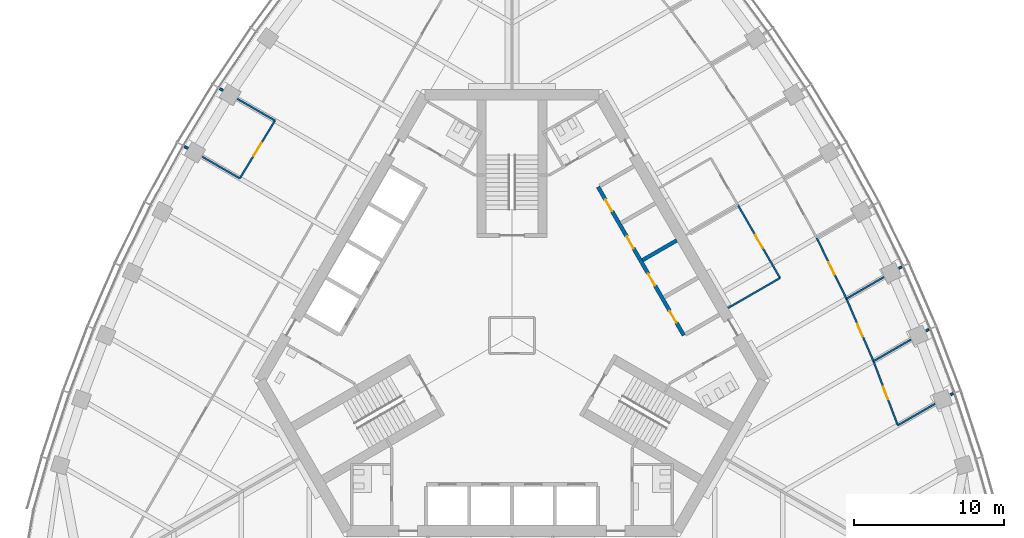
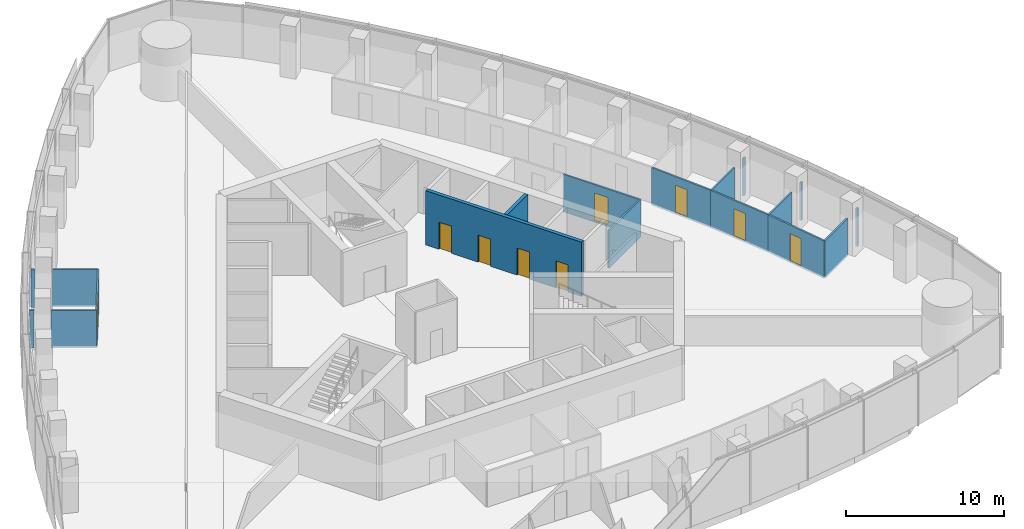
# One storey, part 13 of 20: 18 walls, 9 doors, 9 openings.
"""IFC4 building model written with IfcOpenShell, lengths in metres."""

from ifc_helpers import new_model, si_unit, direction, frame, frame_2d, origin, place, context, subcontext, project, spatial, rectangle, extrude, material, layer, layer_set, type_object, element, fill, save


model = new_model("IFC4")

# Units and contexts
model_context = context("Model", 3, precision=1e-05, world=origin(), true_north=direction((0.0, 1.0)))
body_context = subcontext(model_context, "Body", "Model", "MODEL_VIEW")
ifc_project = project(units=[si_unit("LENGTHUNIT", "METRE"), si_unit("AREAUNIT", "SQUARE_METRE"), si_unit("VOLUMEUNIT", "CUBIC_METRE"), si_unit("PLANEANGLEUNIT", "RADIAN"), si_unit("MASSUNIT", "GRAM", prefix="KILO")], contexts=[model_context])

# Site, building, storey
site_placement = place(None, origin())
site = spatial("IfcSite", under=ifc_project, at=site_placement, CompositionType="ELEMENT")
building_placement = place(site_placement, origin())
building = spatial("IfcBuilding", under=site, at=building_placement, Name="Trefoil Bronze Tower", CompositionType="ELEMENT")
storey_placement = place(building_placement, frame((0.0, 0.0, 231.699951171875)))
storey = spatial("IfcBuildingStorey", under=building, at=storey_placement, Name="L53", CompositionType="ELEMENT", Elevation=231.699951171875)

# Wall, opening, door
ifc_material_1 = material(Name="Glazed partition", Category="glass")
ifc_layer_1 = layer(ifc_material_1, 0.1201171875)
ifc_layer_set_1 = layer_set([ifc_layer_1], Name="Glazed partition 120")
wall_type_1 = type_object("IfcWallType", Name="Glazed partition 120", PredefinedType="PARTITIONING", material=ifc_layer_set_1)
wall_1_placement = place(storey_placement, frame((17.825439453125, 3.8251953125, 0.0), z_axis=(0.0, 0.0, 1.0), x_axis=(-0.499965239061, 0.866045472092, 0.0)))
wall_1 = element("IfcWall", 1, at=wall_1_placement, inside=storey, type_object=wall_type_1, Name="Partition F2 L53", PredefinedType="PARTITIONING", context=body_context, shape_type="SweptSolid", body=[
    extrude(rectangle(XDim=5.60009765625, YDim=0.1201171875, at=frame_2d((2.800048828125, 0.0))), origin(), (0.0, 0.0, 1.0), 2.900146484375),
])
opening_1_placement = place(wall_1_placement, frame((2.300048828125, 0.0, 0.14990234375)))
opening_1 = element("IfcOpeningElement", 2, at=opening_1_placement, cuts=wall_1, Name="Opening D9", PredefinedType="OPENING", context=body_context, shape_type="SweptSolid", body=[
    extrude(rectangle(XDim=1.0, YDim=2.10009765625, at=frame_2d((0.5, 1.050048828125))), frame((0.0, 0.070068359375, 0.0), z_axis=(0.0, -1.0, 0.0), x_axis=(1.0, 0.0, 0.0)), (0.0, 0.0, 1.0), 0.14013671875),
])
ifc_material_2 = material(Name="Glazed timber door", Category="wood")
door_type_1 = type_object("IfcDoorType", Name="Meeting room door 1000", OperationType="SINGLE_SWING_LEFT", PredefinedType="DOOR", material=ifc_material_2)
door_1_placement = place(opening_1_placement, origin())
door_1 = element("IfcDoor", 3, at=door_1_placement, inside=storey, type_object=door_type_1, Name="Meeting room door F2 L53", OperationType="SINGLE_SWING_RIGHT", OverallHeight=2.10009765625, OverallWidth=1.0, PredefinedType="DOOR", context=body_context, shape_type="SweptSolid", body=[
    extrude(rectangle(XDim=1.0, YDim=2.10009765625, at=frame_2d((0.5, 1.050048828125))), frame((0.0, 0.02490234375, 0.0), z_axis=(0.0, -1.0, 0.0), x_axis=(1.0, 0.0, 0.0)), (0.0, 0.0, 1.0), 0.050048828125),
])
fill(opening_1, door_1)

# Wall
wall_2_placement = place(storey_placement, frame((14.361328125, 1.8251953125, 0.0), z_axis=(0.0, 0.0, 1.0), x_axis=(0.866026010844, 0.49999894854, 0.0)))
element("IfcWall", 4, at=wall_2_placement, inside=storey, type_object=wall_type_1, Name="Partition F2 L53", PredefinedType="PARTITIONING", context=body_context, shape_type="SweptSolid", body=[
    extrude(rectangle(XDim=4.0, YDim=0.1201171875, at=frame_2d((2.0, 0.0))), origin(), (0.0, 0.0, 1.0), 2.900146484375),
])

# Wall, opening, door
wall_3_placement = place(storey_placement, frame((24.041015625, -1.708251953125, 0.0), z_axis=(0.0, 0.0, 1.0), x_axis=(-0.397208101111, 0.917728567939, 0.0)))
wall_3 = element("IfcWall", 5, at=wall_3_placement, inside=storey, type_object=wall_type_1, Name="Partition F2 L53", PredefinedType="PARTITIONING", context=body_context, shape_type="SweptSolid", body=[
    extrude(rectangle(XDim=4.530029296875, YDim=0.1201171875, at=frame_2d((2.26513671875, 0.0))), origin(), (0.0, 0.0, 1.0), 2.900146484375),
])
opening_2_placement = place(wall_3_placement, frame((1.800048828125, 0.0, 0.14990234375)))
opening_2 = element("IfcOpeningElement", 6, at=opening_2_placement, cuts=wall_3, Name="Opening D8", PredefinedType="OPENING", context=body_context, shape_type="SweptSolid", body=[
    extrude(rectangle(XDim=0.89990234375, YDim=2.10009765625, at=frame_2d((0.449951171875, 1.050048828125))), frame((0.0, 0.070068359375, 0.0), z_axis=(0.0, -1.0, 0.0), x_axis=(1.0, 0.0, 0.0)), (0.0, 0.0, 1.0), 0.14013671875),
])
ifc_material_3 = material(Name="Timber door", Category="wood")
door_type_2 = type_object("IfcDoorType", Name="Office door 900", OperationType="SINGLE_SWING_LEFT", PredefinedType="DOOR", material=ifc_material_3)
door_2_placement = place(opening_2_placement, frame((0.89990234375, 0.0, 0.0), z_axis=(0.0, 0.0, 1.0), x_axis=(-1.0, 0.0, 0.0)))
door_2 = element("IfcDoor", 7, at=door_2_placement, inside=storey, type_object=door_type_2, Name="Office door F2 L53", OperationType="SINGLE_SWING_RIGHT", OverallHeight=2.10009765625, OverallWidth=0.89990234375, PredefinedType="DOOR", context=body_context, shape_type="SweptSolid", body=[
    extrude(rectangle(XDim=0.89990234375, YDim=2.10009765625, at=frame_2d((0.449951171875, 1.050048828125))), frame((0.0, 0.02490234375, 0.0), z_axis=(0.0, -1.0, 0.0), x_axis=(1.0, 0.0, 0.0)), (0.0, 0.0, 1.0), 0.050048828125),
])
fill(opening_2, door_2)

wall_4_placement = place(storey_placement, frame((25.65625, -5.971923828125, 0.0), z_axis=(0.0, 0.0, 1.0), x_axis=(-0.3542667952, 0.935144394101, 0.0)))
wall_4 = element("IfcWall", 8, at=wall_4_placement, inside=storey, type_object=wall_type_1, Name="Partition F2 L53", PredefinedType="PARTITIONING", context=body_context, shape_type="SweptSolid", body=[
    extrude(rectangle(XDim=4.559326171875, YDim=0.1201171875, at=frame_2d((2.27978515625, 0.0))), origin(), (0.0, 0.0, 1.0), 2.900146484375),
])
opening_3_placement = place(wall_4_placement, frame((1.85009765625, 0.0, 0.14990234375)))
opening_3 = element("IfcOpeningElement", 9, at=opening_3_placement, cuts=wall_4, Name="Opening D8", PredefinedType="OPENING", context=body_context, shape_type="SweptSolid", body=[
    extrude(rectangle(XDim=0.89990234375, YDim=2.10009765625, at=frame_2d((0.449951171875, 1.050048828125))), frame((0.0, 0.070068359375, 0.0), z_axis=(0.0, -1.0, 0.0), x_axis=(1.0, 0.0, 0.0)), (0.0, 0.0, 1.0), 0.14013671875),
])
door_3_placement = place(opening_3_placement, frame((0.89990234375, 0.0, 0.0), z_axis=(0.0, 0.0, 1.0), x_axis=(-1.0, 0.0, 0.0)))
door_3 = element("IfcDoor", 10, at=door_3_placement, inside=storey, type_object=door_type_2, Name="Office door F2 L53", OperationType="SINGLE_SWING_LEFT", OverallHeight=2.10009765625, OverallWidth=0.89990234375, PredefinedType="DOOR", context=body_context, shape_type="SweptSolid", body=[
    extrude(rectangle(XDim=0.89990234375, YDim=2.10009765625, at=frame_2d((0.449951171875, 1.050048828125))), frame((0.0, 0.02490234375, 0.0), z_axis=(0.0, -1.0, 0.0), x_axis=(1.0, 0.0, 0.0)), (0.0, 0.0, 1.0), 0.050048828125),
])
fill(opening_3, door_3)

wall_5_placement = place(storey_placement, frame((22.24169921875, 2.448974609375, 0.0), z_axis=(0.0, 0.0, 1.0), x_axis=(-0.43911984878, 0.898428493764, 0.0)))
wall_5 = element("IfcWall", 11, at=wall_5_placement, inside=storey, type_object=wall_type_1, Name="Partition F2 L53", PredefinedType="PARTITIONING", context=body_context, shape_type="SweptSolid", body=[
    extrude(rectangle(XDim=4.5107421875, YDim=0.1201171875, at=frame_2d((2.25537109375, 0.0))), origin(), (0.0, 0.0, 1.0), 2.900146484375),
])
opening_4_placement = place(wall_5_placement, frame((1.800048828125, 0.0, 0.14990234375)))
opening_4 = element("IfcOpeningElement", 12, at=opening_4_placement, cuts=wall_5, Name="Opening D8", PredefinedType="OPENING", context=body_context, shape_type="SweptSolid", body=[
    extrude(rectangle(XDim=0.89990234375, YDim=2.10009765625, at=frame_2d((0.449951171875, 1.050048828125))), frame((0.0, 0.070068359375, 0.0), z_axis=(0.0, -1.0, 0.0), x_axis=(1.0, 0.0, 0.0)), (0.0, 0.0, 1.0), 0.14013671875),
])
door_4_placement = place(opening_4_placement, frame((0.89990234375, 0.0, 0.0), z_axis=(0.0, 0.0, 1.0), x_axis=(-1.0, 0.0, 0.0)))
door_4 = element("IfcDoor", 13, at=door_4_placement, inside=storey, type_object=door_type_2, Name="Office door F2 L53", OperationType="SINGLE_SWING_RIGHT", OverallHeight=2.10009765625, OverallWidth=0.89990234375, PredefinedType="DOOR", context=body_context, shape_type="SweptSolid", body=[
    extrude(rectangle(XDim=0.89990234375, YDim=2.10009765625, at=frame_2d((0.449951171875, 1.050048828125))), frame((0.0, 0.02490234375, 0.0), z_axis=(0.0, -1.0, 0.0), x_axis=(1.0, 0.0, 0.0)), (0.0, 0.0, 1.0), 0.050048828125),
])
fill(opening_4, door_4)

# Walls
wall_6_placement = place(storey_placement, frame((24.041015625, -1.708251953125, 0.0), z_axis=(0.0, 0.0, 1.0), x_axis=(0.866055815229, 0.499947322133, 0.0)))
element("IfcWall", 14, at=wall_6_placement, inside=storey, type_object=wall_type_1, Name="Partition F2 L53", PredefinedType="PARTITIONING", context=body_context, shape_type="SweptSolid", body=[
    extrude(rectangle(XDim=2.882080078125, YDim=0.1201171875, at=frame_2d((1.44091796875, 0.0))), origin(), (0.0, 0.0, 1.0), 2.900146484375),
])
wall_7_placement = place(storey_placement, frame((25.65625, -5.971923828125, 0.0), z_axis=(0.0, 0.0, 1.0), x_axis=(0.866021348281, 0.500007024272, 0.0)))
element("IfcWall", 15, at=wall_7_placement, inside=storey, type_object=wall_type_1, Name="Partition F2 L53", PredefinedType="PARTITIONING", context=body_context, shape_type="SweptSolid", body=[
    extrude(rectangle(XDim=2.87158203125, YDim=0.1201171875, at=frame_2d((1.435791015625, 0.0))), origin(), (0.0, 0.0, 1.0), 2.900146484375),
])
wall_8_placement = place(storey_placement, frame((22.24169921875, 2.448974609375, 0.0), z_axis=(0.0, 0.0, 1.0), x_axis=(0.866035023289, 0.49998333816, 0.0)))
element("IfcWall", 16, at=wall_8_placement, inside=storey, type_object=wall_type_1, Name="Partition F2 L53", PredefinedType="PARTITIONING", context=body_context, shape_type="SweptSolid", body=[
    extrude(rectangle(XDim=2.88916015625, YDim=0.1201171875, at=frame_2d((1.444580078125, 0.0))), origin(), (0.0, 0.0, 1.0), 2.900146484375),
])

# Wall, opening, door
wall_9_placement = place(storey_placement, frame((-15.760986328125, 14.295654296875, 0.0), z_axis=(0.0, 0.0, 1.0), x_axis=(-0.519790350351, -0.85429385558, 0.0)))
wall_9 = element("IfcWall", 17, at=wall_9_placement, inside=storey, type_object=wall_type_1, Name="Partition F3 L53", PredefinedType="PARTITIONING", context=body_context, shape_type="SweptSolid", body=[
    extrude(rectangle(XDim=4.5009765625, YDim=0.1201171875, at=frame_2d((2.25048828125, 0.0))), origin(), (0.0, 0.0, 1.0), 2.900146484375),
])
opening_5_placement = place(wall_9_placement, frame((1.75, 0.0, 0.14990234375)))
opening_5 = element("IfcOpeningElement", 18, at=opening_5_placement, cuts=wall_9, Name="Opening D9", PredefinedType="OPENING", context=body_context, shape_type="SweptSolid", body=[
    extrude(rectangle(XDim=1.0, YDim=2.10009765625, at=frame_2d((0.5, 1.050048828125))), frame((0.0, 0.070068359375, 0.0), z_axis=(0.0, -1.0, 0.0), x_axis=(1.0, 0.0, 0.0)), (0.0, 0.0, 1.0), 0.14013671875),
])
door_5_placement = place(opening_5_placement, frame((1.0, 0.0, 0.0), z_axis=(0.0, 0.0, 1.0), x_axis=(-1.0, 0.0, 0.0)))
door_5 = element("IfcDoor", 19, at=door_5_placement, inside=storey, type_object=door_type_1, Name="Meeting room door F3 L53", OperationType="SINGLE_SWING_RIGHT", OverallHeight=2.10009765625, OverallWidth=1.0, PredefinedType="DOOR", context=body_context, shape_type="SweptSolid", body=[
    extrude(rectangle(XDim=1.0, YDim=2.10009765625, at=frame_2d((0.5, 1.050048828125))), frame((0.0, 0.02490234375, 0.0), z_axis=(0.0, -1.0, 0.0), x_axis=(1.0, 0.0, 0.0)), (0.0, 0.0, 1.0), 0.050048828125),
])
fill(opening_5, door_5)

# Walls
wall_10_placement = place(storey_placement, frame((-18.1005859375, 10.450439453125, 0.0), z_axis=(0.0, 0.0, 1.0), x_axis=(-0.866054979466, 0.499948769917, 0.0)))
element("IfcWall", 20, at=wall_10_placement, inside=storey, type_object=wall_type_1, Name="Partition F3 L53", PredefinedType="PARTITIONING", context=body_context, shape_type="SweptSolid", body=[
    extrude(rectangle(XDim=2.894775390625, YDim=0.1201171875, at=frame_2d((1.447265625, 0.0))), origin(), (0.0, 0.0, 1.0), 2.900146484375),
])
wall_11_placement = place(storey_placement, frame((-15.760986328125, 14.295654296875, 0.0), z_axis=(0.0, 0.0, 1.0), x_axis=(-0.866022596503, 0.500004862322, 0.0)))
element("IfcWall", 21, at=wall_11_placement, inside=storey, type_object=wall_type_1, Name="Partition F3 L53", PredefinedType="PARTITIONING", context=body_context, shape_type="SweptSolid", body=[
    extrude(rectangle(XDim=2.8935546875, YDim=0.1201171875, at=frame_2d((1.44677734375, 0.0))), origin(), (0.0, 0.0, 1.0), 2.900146484375),
])
ifc_material_4 = material(Name="Gypsum board on steel studs", Category="steel")
ifc_layer_2 = layer(ifc_material_4, 0.14990234375)
ifc_layer_set_2 = layer_set([ifc_layer_2], Name="Partition 150")
wall_type_2 = type_object("IfcWallType", Name="Partition 150", PredefinedType="PARTITIONING", material=ifc_layer_set_2)
wall_12_placement = place(storey_placement, frame((27.538818359375, 0.31103515625, 0.0), z_axis=(0.0, 0.0, 1.0), x_axis=(0.865534352121, 0.500849563539, 0.0)))
element("IfcWall", 22, at=wall_12_placement, inside=storey, type_object=wall_type_2, Name="Partition F2 L53", PredefinedType="PARTITIONING", context=body_context, shape_type="SweptSolid", body=[
    extrude(rectangle(XDim=0.206298828125, YDim=0.14990234375, at=frame_2d((0.10302734375, 0.0))), origin(), (0.0, 0.0, 1.0), 2.900146484375),
])
wall_13_placement = place(storey_placement, frame((29.166015625, -3.945556640625, 0.0), z_axis=(0.0, 0.0, 1.0), x_axis=(0.866439280089, 0.499282459054, 0.0)))
element("IfcWall", 23, at=wall_13_placement, inside=storey, type_object=wall_type_2, Name="Partition F2 L53", PredefinedType="PARTITIONING", context=body_context, shape_type="SweptSolid", body=[
    extrude(rectangle(XDim=0.192138671875, YDim=0.14990234375, at=frame_2d((0.09619140625, 0.0))), origin(), (0.0, 0.0, 1.0), 2.900146484375),
])
wall_14_placement = place(storey_placement, frame((25.724609375, 4.459716796875, 0.0), z_axis=(0.0, 0.0, 1.0), x_axis=(0.865675623716, 0.500605348058, 0.0)))
element("IfcWall", 24, at=wall_14_placement, inside=storey, type_object=wall_type_2, Name="Partition F2 L53", PredefinedType="PARTITIONING", context=body_context, shape_type="SweptSolid", body=[
    extrude(rectangle(XDim=0.223388671875, YDim=0.14990234375, at=frame_2d((0.11181640625, 0.0))), origin(), (0.0, 0.0, 1.0), 2.900146484375),
])
wall_15_placement = place(storey_placement, frame((-21.54638671875, 12.439697265625, 0.0), z_axis=(0.0, 0.0, 1.0), x_axis=(-0.866032814021, 0.499987164874, 0.0)))
element("IfcWall", 25, at=wall_15_placement, inside=storey, type_object=wall_type_2, Name="Partition F3 L53", PredefinedType="PARTITIONING", context=body_context, shape_type="SweptSolid", body=[
    extrude(rectangle(XDim=0.26611328125, YDim=0.14990234375, at=frame_2d((0.133056640625, 0.0))), origin(), (0.0, 0.0, 1.0), 2.900146484375),
])
wall_16_placement = place(storey_placement, frame((-19.2265625, 16.296630859375, 0.0), z_axis=(0.0, 0.0, 1.0), x_axis=(-0.866135455726, 0.499809335981, 0.0)))
element("IfcWall", 26, at=wall_16_placement, inside=storey, type_object=wall_type_2, Name="Partition F3 L53", PredefinedType="PARTITIONING", context=body_context, shape_type="SweptSolid", body=[
    extrude(rectangle(XDim=0.2431640625, YDim=0.14990234375, at=frame_2d((0.12158203125, 0.0))), origin(), (0.0, 0.0, 1.0), 2.900146484375),
])

# Wall, openings, doors
ifc_material_5 = material(Name="Concrete B80", Category="concrete")
ifc_layer_3 = layer(ifc_material_5, 0.25)
ifc_layer_set_3 = layer_set([ifc_layer_3], Name="Shaft wall 250")
wall_type_3 = type_object("IfcWallType", Name="Shaft wall 250", PredefinedType="SHEAR", material=ifc_layer_set_3)
wall_17_placement = place(storey_placement, frame((11.423583984375, 0.013671875, 0.0), z_axis=(0.0, 0.0, 1.0), x_axis=(-0.500001763848, 0.866024385424, 0.0)))
wall_17 = element("IfcWall", 27, at=wall_17_placement, inside=storey, type_object=wall_type_3, Name="Lift shaft front wall B L53", PredefinedType="SHEAR", context=body_context, shape_type="SweptSolid", body=[
    extrude(rectangle(XDim=11.39990234375, YDim=0.25, at=frame_2d((5.699951171875, 0.0))), origin(), (0.0, 0.0, 1.0), 4.199951171875),
])
opening_6_placement = place(wall_17_placement, frame((0.97509765625, 0.0, 0.0)))
opening_6 = element("IfcOpeningElement", 28, at=opening_6_placement, cuts=wall_17, Name="Opening D12", PredefinedType="OPENING", context=body_context, shape_type="SweptSolid", body=[
    extrude(rectangle(XDim=0.89990234375, YDim=2.10009765625, at=frame_2d((0.449951171875, 1.050048828125))), frame((0.0, 0.135009765625, 0.0), z_axis=(0.0, -1.0, 0.0), x_axis=(1.0, 0.0, 0.0)), (0.0, 0.0, 1.0), 0.27001953125),
])
opening_7_placement = place(wall_17_placement, frame((3.824951171875, 0.0, 0.0)))
opening_7 = element("IfcOpeningElement", 29, at=opening_7_placement, cuts=wall_17, Name="Opening D12", PredefinedType="OPENING", context=body_context, shape_type="SweptSolid", body=[
    extrude(rectangle(XDim=0.89990234375, YDim=2.10009765625, at=frame_2d((0.449951171875, 1.050048828125))), frame((0.0, 0.135009765625, 0.0), z_axis=(0.0, -1.0, 0.0), x_axis=(1.0, 0.0, 0.0)), (0.0, 0.0, 1.0), 0.27001953125),
])
opening_8_placement = place(wall_17_placement, frame((6.675048828125, 0.0, 0.0)))
opening_8 = element("IfcOpeningElement", 30, at=opening_8_placement, cuts=wall_17, Name="Opening D12", PredefinedType="OPENING", context=body_context, shape_type="SweptSolid", body=[
    extrude(rectangle(XDim=0.89990234375, YDim=2.10009765625, at=frame_2d((0.449951171875, 1.050048828125))), frame((0.0, 0.135009765625, 0.0), z_axis=(0.0, -1.0, 0.0), x_axis=(1.0, 0.0, 0.0)), (0.0, 0.0, 1.0), 0.27001953125),
])
opening_9_placement = place(wall_17_placement, frame((9.52490234375, 0.0, 0.0)))
opening_9 = element("IfcOpeningElement", 31, at=opening_9_placement, cuts=wall_17, Name="Opening D12", PredefinedType="OPENING", context=body_context, shape_type="SweptSolid", body=[
    extrude(rectangle(XDim=0.89990234375, YDim=2.10009765625, at=frame_2d((0.449951171875, 1.050048828125))), frame((0.0, 0.135009765625, 0.0), z_axis=(0.0, -1.0, 0.0), x_axis=(1.0, 0.0, 0.0)), (0.0, 0.0, 1.0), 0.27001953125),
])
ifc_material_6 = material(Name="Steel door", Category="steel")
door_type_3 = type_object("IfcDoorType", Name="Shaft room door 900", OperationType="SINGLE_SWING_LEFT", PredefinedType="DOOR", material=ifc_material_6)
door_6_placement = place(opening_6_placement, frame((0.89990234375, 0.0, 0.0), z_axis=(0.0, 0.0, 1.0), x_axis=(-1.0, 0.0, 0.0)))
door_6 = element("IfcDoor", 32, at=door_6_placement, inside=storey, type_object=door_type_3, Name="Shaft room door B1 L53", OperationType="SINGLE_SWING_LEFT", OverallHeight=2.10009765625, OverallWidth=0.89990234375, PredefinedType="DOOR", context=body_context, shape_type="SweptSolid", body=[
    extrude(rectangle(XDim=0.89990234375, YDim=2.10009765625, at=frame_2d((0.449951171875, 1.050048828125))), frame((0.0, 0.02490234375, 0.0), z_axis=(0.0, -1.0, 0.0), x_axis=(1.0, 0.0, 0.0)), (0.0, 0.0, 1.0), 0.050048828125),
])
fill(opening_6, door_6)
door_7_placement = place(opening_7_placement, frame((0.89990234375, 0.0, 0.0), z_axis=(0.0, 0.0, 1.0), x_axis=(-1.0, 0.0, 0.0)))
door_7 = element("IfcDoor", 33, at=door_7_placement, inside=storey, type_object=door_type_3, Name="Shaft room door B2 L53", OperationType="SINGLE_SWING_RIGHT", OverallHeight=2.10009765625, OverallWidth=0.89990234375, PredefinedType="DOOR", context=body_context, shape_type="SweptSolid", body=[
    extrude(rectangle(XDim=0.89990234375, YDim=2.10009765625, at=frame_2d((0.449951171875, 1.050048828125))), frame((0.0, 0.02490234375, 0.0), z_axis=(0.0, -1.0, 0.0), x_axis=(1.0, 0.0, 0.0)), (0.0, 0.0, 1.0), 0.050048828125),
])
fill(opening_7, door_7)
door_8_placement = place(opening_8_placement, frame((0.89990234375, 0.0, 0.0), z_axis=(0.0, 0.0, 1.0), x_axis=(-1.0, 0.0, 0.0)))
door_8 = element("IfcDoor", 34, at=door_8_placement, inside=storey, type_object=door_type_3, Name="Shaft room door B3 L53", OperationType="SINGLE_SWING_RIGHT", OverallHeight=2.10009765625, OverallWidth=0.89990234375, PredefinedType="DOOR", context=body_context, shape_type="SweptSolid", body=[
    extrude(rectangle(XDim=0.89990234375, YDim=2.10009765625, at=frame_2d((0.449951171875, 1.050048828125))), frame((0.0, 0.02490234375, 0.0), z_axis=(0.0, -1.0, 0.0), x_axis=(1.0, 0.0, 0.0)), (0.0, 0.0, 1.0), 0.050048828125),
])
fill(opening_8, door_8)
door_9_placement = place(opening_9_placement, frame((0.89990234375, 0.0, 0.0), z_axis=(0.0, 0.0, 1.0), x_axis=(-1.0, 0.0, 0.0)))
door_9 = element("IfcDoor", 35, at=door_9_placement, inside=storey, type_object=door_type_3, Name="Shaft room door B4 L53", OperationType="SINGLE_SWING_RIGHT", OverallHeight=2.10009765625, OverallWidth=0.89990234375, PredefinedType="DOOR", context=body_context, shape_type="SweptSolid", body=[
    extrude(rectangle(XDim=0.89990234375, YDim=2.10009765625, at=frame_2d((0.449951171875, 1.050048828125))), frame((0.0, 0.02490234375, 0.0), z_axis=(0.0, -1.0, 0.0), x_axis=(1.0, 0.0, 0.0)), (0.0, 0.0, 1.0), 0.050048828125),
])
fill(opening_9, door_9)

# Wall
wall_18_placement = place(storey_placement, frame((8.681884765625, 5.012451171875, 0.0), z_axis=(0.0, 0.0, 1.0), x_axis=(0.866036909293, 0.499980071345, 0.0)))
element("IfcWall", 36, at=wall_18_placement, inside=storey, type_object=wall_type_3, Name="Lift shaft side wall B2 L53", PredefinedType="SHEAR", context=body_context, shape_type="SweptSolid", body=[
    extrude(rectangle(XDim=2.625, YDim=0.25, at=frame_2d((1.3125, 0.0))), origin(), (0.0, 0.0, 1.0), 4.199951171875),
])

save(model, "model.ifc")
